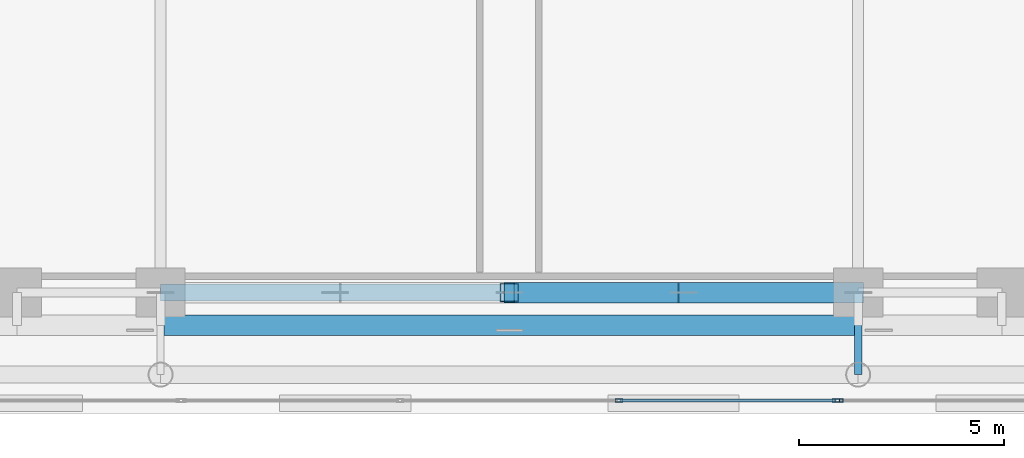
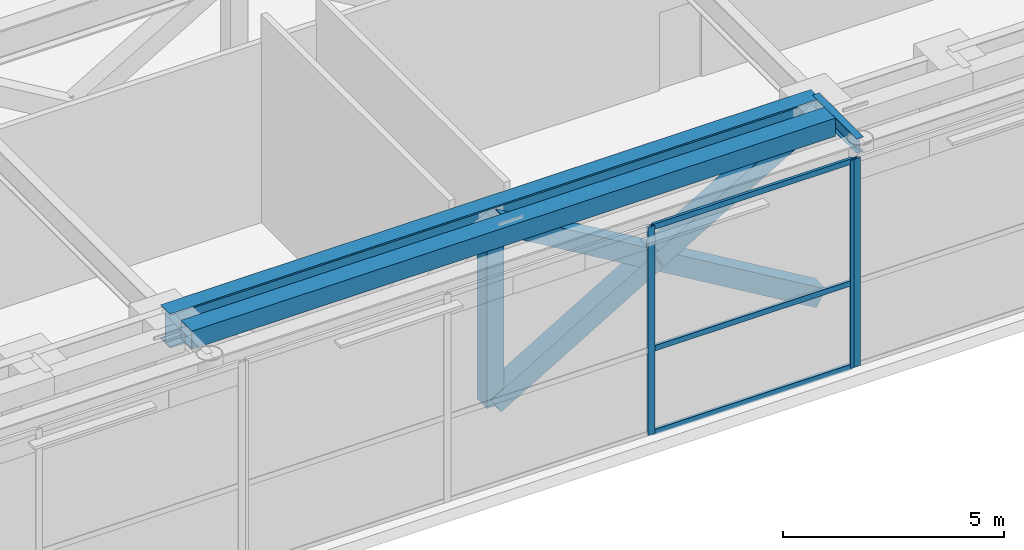
# One storey, part 7 of 29: 10 members, 3 beams, 2 elements without a shape of their own.
"""IFC4 building model written with IfcOpenShell, lengths in metres."""

from ifc_helpers import new_model, si_unit, direction, frame, origin, origin_2d, place, context, subcontext, project, spatial, hollow_rectangle, i_section, extrude, source, transform, mapped, material, layer, layer_set, material_profile, profile_set, type_object, element, aggregate, save


model = new_model("IFC4")

# Units and contexts
model_context = context("Model", 3, precision=1e-05, world=origin(), true_north=direction((0.0, 1.0)))
body_context = subcontext(model_context, "Body", "Model", "MODEL_VIEW")
ifc_project = project(units=[si_unit("LENGTHUNIT", "METRE"), si_unit("AREAUNIT", "SQUARE_METRE"), si_unit("VOLUMEUNIT", "CUBIC_METRE"), si_unit("PLANEANGLEUNIT", "RADIAN"), si_unit("MASSUNIT", "GRAM", prefix="KILO")], contexts=[model_context])

# Site, building, storey
site_placement = place(None, origin())
site = spatial("IfcSite", under=ifc_project, at=site_placement, CompositionType="ELEMENT")
building_placement = place(site_placement, origin())
building = spatial("IfcBuilding", under=site, at=building_placement, Name="Ocotamira Hotel", CompositionType="ELEMENT")
storey_placement = place(building_placement, frame((0.0, 0.0, 28.800048828125)))
storey = spatial("IfcBuildingStorey", under=building, at=storey_placement, Name="L06", CompositionType="ELEMENT", Elevation=28.800048828125)

# Beams
ifc_material_1 = material(Name="Steel ASTM A992 Grade 50", Category="steel")
ifc_material_profile_1 = material_profile(ifc_material_1, i_section(OverallWidth=0.177978515625, OverallDepth=0.403076171875, WebThickness=0.007568359375, FlangeThickness=0.010986328125, FilletRadius=0.010009765625, at=origin_2d()), Name="W16X36")
ifc_profile_set_1 = profile_set([ifc_material_profile_1], Name="Steel ASTM A992 Grade 50")
beam_type_1 = type_object("IfcBeamType", Name="BM-SEC-W16X36", PredefinedType="JOIST", material=ifc_profile_set_1)
shared_shape_1 = source(origin(), body_context, "Body", "SweptSolid", [
    extrude(i_section(OverallWidth=0.177978515625, OverallDepth=0.403076171875, WebThickness=0.007568359375, FlangeThickness=0.010986328125, FilletRadius=0.010009765625, at=origin_2d()), origin(), (0.0, 0.0, 1.0), 2.0),
])
beam_1_placement = place(storey_placement, frame((40.5, 0.949951171875, 5.54833984375), z_axis=(0.0, 1.0, 0.0), x_axis=(-1.0, 0.0, 0.0)))
element("IfcBeam", 1, at=beam_1_placement, inside=storey, type_object=beam_type_1, Name="L06 Beam X40.5 Y0.95-2.95", PredefinedType="JOIST", context=body_context, shape_type="MappedRepresentation", body=[
    mapped(shared_shape_1, transform((0.0, 0.0, 0.0), scale=1.0)),
])
ifc_material_2 = material(Name="Steel ASTM A913 Grade 65", Category="steel")
ifc_material_profile_2 = material_profile(ifc_material_2, i_section(OverallWidth=0.423095703125, OverallDepth=0.947998046875, WebThickness=0.02392578125, FlangeThickness=0.042724609375, FilletRadius=0.02392578125, at=origin_2d()), Name="W36X302")
ifc_profile_set_2 = profile_set([ifc_material_profile_2], Name="Steel ASTM A913 Grade 65")
beam_type_2 = type_object("IfcBeamType", Name="BM-TRUSS-W36X302", PredefinedType="BEAM", material=ifc_profile_set_2)
shared_shape_2 = source(origin(), body_context, "Body", "SweptSolid", [
    extrude(i_section(OverallWidth=0.423095703125, OverallDepth=0.947998046875, WebThickness=0.02392578125, FlangeThickness=0.042724609375, FilletRadius=0.02392578125, at=origin_2d()), origin(), (0.0, 0.0, 1.0), 17.0),
])
beam_2_placement = place(storey_placement, frame((23.5, 2.949951171875, 5.27587890625), z_axis=(1.0, 0.0, 0.0), x_axis=(0.0, 1.0, 0.0)))
element("IfcBeam", 2, at=beam_2_placement, inside=storey, type_object=beam_type_2, Name="L06 Girder Y2.95 X23.5-40.5", PredefinedType="BEAM", context=body_context, shape_type="MappedRepresentation", body=[
    mapped(shared_shape_2, transform((0.0, 0.0, 0.0), scale=1.0)),
])
ifc_material_3 = material(Name="Steel ASTM A500 Grade C", Category="steel")
ifc_material_profile_3 = material_profile(ifc_material_3, hollow_rectangle(XDim=0.5, YDim=0.5, WallThickness=0.02001953125, at=origin_2d()), Name="HSS500X500X20")
ifc_profile_set_3 = profile_set([ifc_material_profile_3], Name="Steel ASTM A500 Grade C")
beam_type_3 = type_object("IfcBeamType", Name="BM-SPAN-HSS500", PredefinedType="USERDEFINED", material=ifc_profile_set_3)
shared_shape_3 = source(origin(), body_context, "Body", "SweptSolid", [
    extrude(hollow_rectangle(XDim=0.5, YDim=0.5, WallThickness=0.02001953125, at=origin_2d()), origin(), (0.0, 0.0, 1.0), 16.82177734375),
])
beam_3_placement = place(storey_placement, frame((23.589111328125, 2.14990234375, 5.5), z_axis=(1.0, 0.0, 0.0), x_axis=(0.0, 1.0, 0.0)))
element("IfcBeam", 3, at=beam_3_placement, inside=storey, type_object=beam_type_3, Name="L06 Edge Spandrel S X23.589-40.411", ObjectType="SPANDREL", PredefinedType="USERDEFINED", context=body_context, shape_type="MappedRepresentation", body=[
    mapped(shared_shape_3, transform((0.0, 0.0, 0.0), scale=1.0)),
])

# Members
ifc_material_profile_4 = material_profile(ifc_material_2, hollow_rectangle(XDim=0.449951171875, YDim=0.449951171875, WallThickness=0.01611328125, at=origin_2d()), Name="HSS450X450X16")
ifc_profile_set_4 = profile_set([ifc_material_profile_4], Name="Steel ASTM A913 Grade 65")
member_type_1 = type_object("IfcMemberType", Name="MEM-POST-HSS450", PredefinedType="POST", material=ifc_profile_set_4)
shared_shape_4 = source(origin(), body_context, "Body", "SweptSolid", [
    extrude(hollow_rectangle(XDim=0.449951171875, YDim=0.449951171875, WallThickness=0.01611328125, at=origin_2d()), origin(), (0.0, 0.0, 1.0), 5.050048828125),
])
member_1_placement = place(storey_placement, frame((32.0, 2.949951171875, 0.25), z_axis=(0.0, 0.0, 1.0), x_axis=(1.0, 0.0, 0.0)))
element("IfcMember", 4, at=member_1_placement, inside=storey, type_object=member_type_1, Name="L06 Portal Transfer Truss Post Y2.95", PredefinedType="POST", context=body_context, shape_type="MappedRepresentation", body=[
    mapped(shared_shape_4, transform((0.0, 0.0, 0.0), scale=1.0)),
])
ifc_material_profile_5 = material_profile(ifc_material_2, hollow_rectangle(XDim=0.5, YDim=0.5, WallThickness=0.02001953125, at=origin_2d()), Name="HSS500X500X20")
ifc_profile_set_5 = profile_set([ifc_material_profile_5], Name="Steel ASTM A913 Grade 65")
member_type_2 = type_object("IfcMemberType", Name="MEM-OUT-HSS500", PredefinedType="BRACE", material=ifc_profile_set_5)
shared_shape_5 = source(origin(), body_context, "Body", "SweptSolid", [
    extrude(hollow_rectangle(XDim=0.5, YDim=0.5, WallThickness=0.02001953125, at=origin_2d()), origin(), (0.0, 0.0, 1.0), 9.886962890625),
])
member_2_placement = place(storey_placement, frame((32.0, 2.949951171875, 5.300048828125), z_axis=(0.859713791233, 0.0, -0.510776073405), x_axis=(0.0, 1.0, 0.0)))
element("IfcMember", 5, at=member_2_placement, inside=storey, type_object=member_type_2, Name="L06 Portal Transfer Truss Diagonal Y2.95-2", PredefinedType="BRACE", context=body_context, shape_type="MappedRepresentation", body=[
    mapped(shared_shape_5, transform((0.0, 0.0, 0.0), scale=1.0)),
])
shared_shape_6 = source(origin(), body_context, "Body", "SweptSolid", [
    extrude(hollow_rectangle(XDim=0.5, YDim=0.5, WallThickness=0.02001953125, at=origin_2d()), origin(), (0.0, 0.0, 1.0), 4.923583984375),
])
for number, where, z_axis, x_axis, name in (
    (6, (32.0, 2.949951171875, 0.25), (0.859733635103, 0.0, 0.510742671678), (0.0, 1.0, 0.0), "L06 Portal Transfer Truss Diagonal Y2.95-4 Lower Half"),
    (7, (36.26708984375, 2.949951171875, 2.78515625), (0.859711861236, 0.0, 0.51077932187), (0.0, 1.0, 0.0), "L06 Portal Transfer Truss Diagonal Y2.95-4 Upper Half"),
):
    element("IfcMember", number, at=place(storey_placement, frame(where, z_axis=z_axis, x_axis=x_axis)), inside=storey, type_object=member_type_2, Name=name, PredefinedType="BRACE", context=body_context, shape_type="MappedRepresentation", body=[
        mapped(shared_shape_6, transform((0.0, 0.0, 0.0), scale=1.0)),
    ])

# Curtain wall, members
ifc_material_4 = material(Name="Anodised pale-metal aluminium and solar glass", Category="aluminium")
ifc_layer = layer(ifc_material_4, 0.239990234375)
ifc_layer_set = layer_set([ifc_layer], Name="Anodised pale-metal aluminium and solar glass")
curtain_wall_type = type_object("IfcCurtainWallType", Name="CW-SYS5-SKY", PredefinedType="NOTDEFINED", material=ifc_layer_set)
curtain_wall_1_placement = place(storey_placement, origin())
curtain_wall_1 = element("IfcCurtainWall", 8, at=curtain_wall_1_placement, inside=storey, type_object=curtain_wall_type, Name="L06 Curtain Wall CW-5 CW-L06-S2", PredefinedType="NOTDEFINED")
ifc_material_5 = material(Name="Anodised pale-metal aluminium 6063-T6", Category="aluminium")
ifc_material_profile_6 = material_profile(ifc_material_5, hollow_rectangle(XDim=0.074951171875, YDim=0.14990234375, WallThickness=0.006103515625, at=origin_2d()), Name="HSS150X75X6")
ifc_profile_set_6 = profile_set([ifc_material_profile_6], Name="Anodised pale-metal aluminium 6063-T6")
member_type_3 = type_object("IfcMemberType", Name="CWT-150X75", PredefinedType="USERDEFINED", material=ifc_profile_set_6)
shared_shape_7 = source(origin(), body_context, "Body", "SweptSolid", [
    extrude(hollow_rectangle(XDim=0.074951171875, YDim=0.14990234375, WallThickness=0.006103515625, at=origin_2d()), origin(), (0.0, 0.0, 1.0), 5.213134765625),
])
member_3_placement = place(storey_placement, frame((34.706787109375, 0.320068359375, 0.037353515625), z_axis=(1.0, 0.0, 0.0), x_axis=(0.0, 1.0, 0.0)))
member_3 = element("IfcMember", 9, at=member_3_placement, type_object=member_type_3, Name="CW-5 transom 3.1", ObjectType="TRANSOM", PredefinedType="USERDEFINED", context=body_context, shape_type="MappedRepresentation", body=[
    mapped(shared_shape_7, transform((0.0, 0.0, 0.0), scale=1.0)),
])
member_4_placement = place(storey_placement, frame((34.706787109375, 0.320068359375, 2.349853515625), z_axis=(1.0, 0.0, 0.0), x_axis=(0.0, 1.0, 0.0)))
member_4 = element("IfcMember", 10, at=member_4_placement, type_object=member_type_3, Name="CW-5 transom 3.2", ObjectType="TRANSOM", PredefinedType="USERDEFINED", context=body_context, shape_type="MappedRepresentation", body=[
    mapped(shared_shape_7, transform((0.0, 0.0, 0.0), scale=1.0)),
])
member_5_placement = place(storey_placement, frame((34.706787109375, 0.320068359375, 5.71240234375), z_axis=(1.0, 0.0, 0.0), x_axis=(0.0, 1.0, 0.0)))
member_5 = element("IfcMember", 11, at=member_5_placement, type_object=member_type_3, Name="CW-5 transom 3.3", ObjectType="TRANSOM", PredefinedType="USERDEFINED", context=body_context, shape_type="MappedRepresentation", body=[
    mapped(shared_shape_7, transform((0.0, 0.0, 0.0), scale=1.0)),
])
ifc_material_profile_7 = material_profile(ifc_material_5, hollow_rectangle(XDim=0.080078125, YDim=0.179931640625, WallThickness=0.006103515625, at=origin_2d()), Name="HSS180X80X6")
ifc_profile_set_7 = profile_set([ifc_material_profile_7], Name="Anodised pale-metal aluminium 6063-T6")
member_type_4 = type_object("IfcMemberType", Name="CWM-180X75", PredefinedType="MULLION", material=ifc_profile_set_7)
shared_shape_8 = source(origin(), body_context, "Body", "SweptSolid", [
    extrude(hollow_rectangle(XDim=0.080078125, YDim=0.179931640625, WallThickness=0.006103515625, at=origin_2d()), origin(), (0.0, 0.0, 1.0), 5.75),
])
member_6_placement = place(storey_placement, frame((34.666748046875, 0.320068359375, 0.0), z_axis=(0.0, 0.0, 1.0), x_axis=(0.0, 1.0, 0.0)))
member_6 = element("IfcMember", 12, at=member_6_placement, type_object=member_type_4, Name="CW-5 mullion 3", PredefinedType="MULLION", context=body_context, shape_type="MappedRepresentation", body=[
    mapped(shared_shape_8, transform((0.0, 0.0, 0.0), scale=1.0)),
])
member_7_placement = place(storey_placement, frame((39.9599609375, 0.320068359375, 0.0), z_axis=(0.0, 0.0, 1.0), x_axis=(0.0, 1.0, 0.0)))
member_7 = element("IfcMember", 13, at=member_7_placement, type_object=member_type_4, Name="CW-5 mullion 4", PredefinedType="MULLION", context=body_context, shape_type="MappedRepresentation", body=[
    mapped(shared_shape_8, transform((0.0, 0.0, 0.0), scale=1.0)),
])
aggregate(curtain_wall_1, [member_6, member_7, member_3, member_4, member_5])

# Curtain wall, member
curtain_wall_2_placement = place(storey_placement, origin())
curtain_wall_2 = element("IfcCurtainWall", 14, at=curtain_wall_2_placement, inside=storey, type_object=curtain_wall_type, Name="L06 Curtain Wall CW-5 CW-L06-S3", PredefinedType="NOTDEFINED")
member_8_placement = place(storey_placement, frame((40.0400390625, 0.320068359375, 0.0), z_axis=(0.0, 0.0, 1.0), x_axis=(0.0, 1.0, 0.0)))
member_8 = element("IfcMember", 15, at=member_8_placement, type_object=member_type_4, Name="CW-5 mullion 1", PredefinedType="MULLION", context=body_context, shape_type="MappedRepresentation", body=[
    mapped(shared_shape_8, transform((0.0, 0.0, 0.0), scale=1.0)),
])
aggregate(curtain_wall_2, [member_8])

save(model, "model.ifc")
